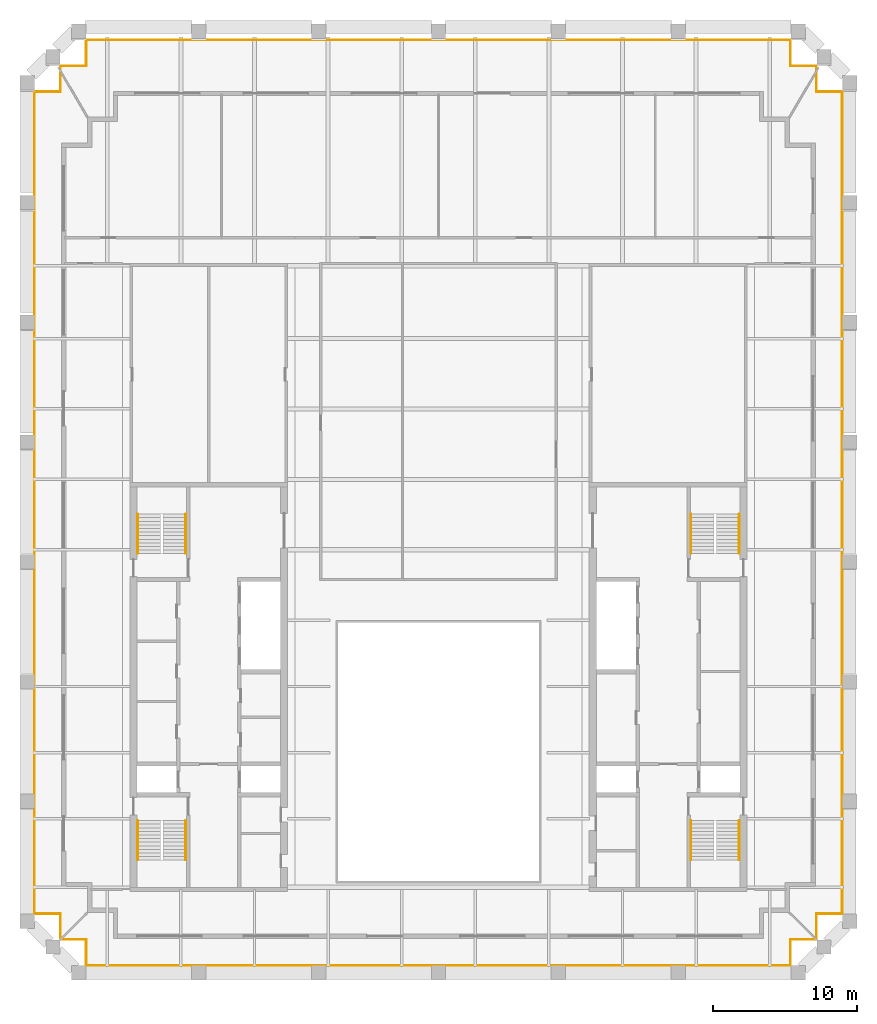
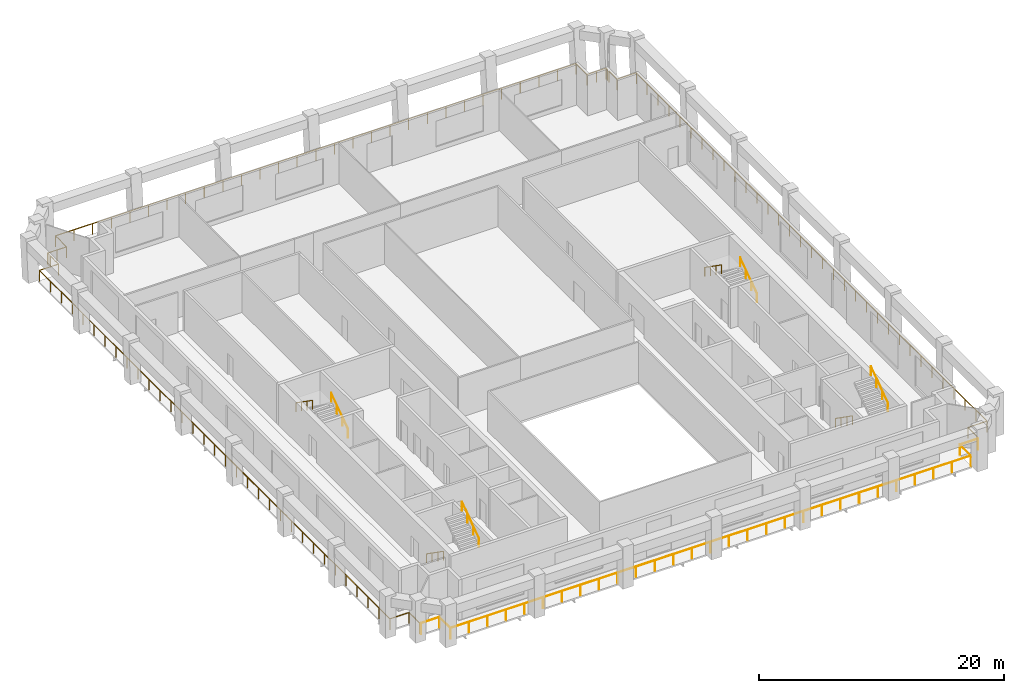
# One storey, part 7 of 7: 12 railings.
"""IFC4 building model written with IfcOpenShell, lengths in metres."""

from ifc_helpers import new_model, si_unit, direction, frame, origin, origin_2d, place, context, subcontext, project, spatial, circle, extrude, material, type_object, element, save


model = new_model("IFC4")

# Units and contexts
model_context = context("Model", 3, precision=1e-05, world=origin(), true_north=direction((0.0, 1.0)))
body_context = subcontext(model_context, "Body", "Model", "MODEL_VIEW")
ifc_project = project(units=[si_unit("LENGTHUNIT", "METRE"), si_unit("AREAUNIT", "SQUARE_METRE"), si_unit("VOLUMEUNIT", "CUBIC_METRE"), si_unit("PLANEANGLEUNIT", "RADIAN"), si_unit("MASSUNIT", "GRAM", prefix="KILO")], contexts=[model_context])

# Site, building, storey
site_placement = place(None, origin())
site = spatial("IfcSite", under=ifc_project, at=site_placement, CompositionType="ELEMENT")
building_placement = place(site_placement, origin())
building = spatial("IfcBuilding", under=site, at=building_placement, Name="Ogive Exchange Tower", CompositionType="ELEMENT")
storey_placement = place(building_placement, frame((0.0, 0.0, 321.60009765625)))
storey = spatial("IfcBuildingStorey", under=building, at=storey_placement, Name="L70", CompositionType="ELEMENT", Elevation=321.60009765625)

# Railings
ifc_material_1 = material(Name="Stainless steel 316", Category="steel")
railing_type_1 = type_object("IfcRailingType", Name="Guard 1100 stainless steel and glass", PredefinedType="GUARDRAIL", material=ifc_material_1)
railing_1_placement = place(storey_placement, frame((26.238037109375, -6.080078125, -0.050048828125)))
element("IfcRailing", 1, at=railing_1_placement, inside=storey, type_object=railing_type_1, Name="Loggia guard 1", PredefinedType="GUARDRAIL", context=body_context, shape_type="SweptSolid", body=[
    extrude(circle(Radius=0.02392578125, at=origin_2d()), frame((0.0, 0.0, 1.076171875), z_axis=(-1.0, 0.0, 0.0), x_axis=(0.0, -1.0, 0.0)), (0.0, 0.0, 1.0), 1.7080078125),
    extrude(circle(Radius=0.02392578125, at=origin_2d()), frame((-1.7080078125, 0.0, 1.076171875), z_axis=(0.0, -1.0, 0.0), x_axis=(1.0, 0.0, 0.0)), (0.0, 0.0, 1.0), 1.7998046875),
    extrude(circle(Radius=0.02392578125, at=origin_2d()), frame((-1.7080078125, -1.7998046875, 1.076171875), z_axis=(-1.0, 0.0, 0.0), x_axis=(0.0, -1.0, 0.0)), (0.0, 0.0, 1.0), 49.06005859375),
    extrude(circle(Radius=0.02392578125, at=origin_2d()), frame((-50.76806640625, -1.7998046875, 1.076171875), z_axis=(0.0, 1.0, 0.0), x_axis=(-1.0, 0.0, 0.0)), (0.0, 0.0, 1.0), 1.7998046875),
    extrude(circle(Radius=0.02392578125, at=origin_2d()), frame((-50.76806640625, 0.0, 1.076171875), z_axis=(-1.0, 0.0, 0.0), x_axis=(0.0, -1.0, 0.0)), (0.0, 0.0, 1.0), 1.7080078125),
    extrude(circle(Radius=0.02099609375, at=origin_2d()), origin(), (0.0, 0.0, 1.0), 1.052001953125),
    extrude(circle(Radius=0.02099609375, at=origin_2d()), frame((-1.7080078125, 0.0, 0.0)), (0.0, 0.0, 1.0), 1.052001953125),
    extrude(circle(Radius=0.02099609375, at=origin_2d()), frame((-1.7080078125, -1.7998046875, 0.0)), (0.0, 0.0, 1.0), 1.052001953125),
    extrude(circle(Radius=0.02099609375, at=origin_2d()), frame((-3.460205078125, -1.7998046875, 0.0)), (0.0, 0.0, 1.0), 1.052001953125),
    extrude(circle(Radius=0.02099609375, at=origin_2d()), frame((-5.21240234375, -1.7998046875, 0.0)), (0.0, 0.0, 1.0), 1.052001953125),
    extrude(circle(Radius=0.02099609375, at=origin_2d()), frame((-6.96435546875, -1.7998046875, 0.0)), (0.0, 0.0, 1.0), 1.052001953125),
    extrude(circle(Radius=0.02099609375, at=origin_2d()), frame((-8.716552734375, -1.7998046875, 0.0)), (0.0, 0.0, 1.0), 1.052001953125),
    extrude(circle(Radius=0.02099609375, at=origin_2d()), frame((-10.46875, -1.7998046875, 0.0)), (0.0, 0.0, 1.0), 1.052001953125),
    extrude(circle(Radius=0.02099609375, at=origin_2d()), frame((-12.220947265625, -1.7998046875, 0.0)), (0.0, 0.0, 1.0), 1.052001953125),
    extrude(circle(Radius=0.02099609375, at=origin_2d()), frame((-13.97314453125, -1.7998046875, 0.0)), (0.0, 0.0, 1.0), 1.052001953125),
    extrude(circle(Radius=0.02099609375, at=origin_2d()), frame((-15.72509765625, -1.7998046875, 0.0)), (0.0, 0.0, 1.0), 1.052001953125),
    extrude(circle(Radius=0.02099609375, at=origin_2d()), frame((-17.477294921875, -1.7998046875, 0.0)), (0.0, 0.0, 1.0), 1.052001953125),
    extrude(circle(Radius=0.02099609375, at=origin_2d()), frame((-19.2294921875, -1.7998046875, 0.0)), (0.0, 0.0, 1.0), 1.052001953125),
    extrude(circle(Radius=0.02099609375, at=origin_2d()), frame((-20.981689453125, -1.7998046875, 0.0)), (0.0, 0.0, 1.0), 1.052001953125),
    extrude(circle(Radius=0.02099609375, at=origin_2d()), frame((-22.733642578125, -1.7998046875, 0.0)), (0.0, 0.0, 1.0), 1.052001953125),
    extrude(circle(Radius=0.02099609375, at=origin_2d()), frame((-24.48583984375, -1.7998046875, 0.0)), (0.0, 0.0, 1.0), 1.052001953125),
    extrude(circle(Radius=0.02099609375, at=origin_2d()), frame((-26.238037109375, -1.7998046875, 0.0)), (0.0, 0.0, 1.0), 1.052001953125),
    extrude(circle(Radius=0.02099609375, at=origin_2d()), frame((-27.990234375, -1.7998046875, 0.0)), (0.0, 0.0, 1.0), 1.052001953125),
    extrude(circle(Radius=0.02099609375, at=origin_2d()), frame((-29.742431640625, -1.7998046875, 0.0)), (0.0, 0.0, 1.0), 1.052001953125),
    extrude(circle(Radius=0.02099609375, at=origin_2d()), frame((-31.494384765625, -1.7998046875, 0.0)), (0.0, 0.0, 1.0), 1.052001953125),
    extrude(circle(Radius=0.02099609375, at=origin_2d()), frame((-33.24658203125, -1.7998046875, 0.0)), (0.0, 0.0, 1.0), 1.052001953125),
    extrude(circle(Radius=0.02099609375, at=origin_2d()), frame((-34.998779296875, -1.7998046875, 0.0)), (0.0, 0.0, 1.0), 1.052001953125),
    extrude(circle(Radius=0.02099609375, at=origin_2d()), frame((-36.7509765625, -1.7998046875, 0.0)), (0.0, 0.0, 1.0), 1.052001953125),
    extrude(circle(Radius=0.02099609375, at=origin_2d()), frame((-38.5029296875, -1.7998046875, 0.0)), (0.0, 0.0, 1.0), 1.052001953125),
    extrude(circle(Radius=0.02099609375, at=origin_2d()), frame((-40.255126953125, -1.7998046875, 0.0)), (0.0, 0.0, 1.0), 1.052001953125),
    extrude(circle(Radius=0.02099609375, at=origin_2d()), frame((-42.00732421875, -1.7998046875, 0.0)), (0.0, 0.0, 1.0), 1.052001953125),
    extrude(circle(Radius=0.02099609375, at=origin_2d()), frame((-43.759521484375, -1.7998046875, 0.0)), (0.0, 0.0, 1.0), 1.052001953125),
    extrude(circle(Radius=0.02099609375, at=origin_2d()), frame((-45.51171875, -1.7998046875, 0.0)), (0.0, 0.0, 1.0), 1.052001953125),
    extrude(circle(Radius=0.02099609375, at=origin_2d()), frame((-47.263671875, -1.7998046875, 0.0)), (0.0, 0.0, 1.0), 1.052001953125),
    extrude(circle(Radius=0.02099609375, at=origin_2d()), frame((-49.015869140625, -1.7998046875, 0.0)), (0.0, 0.0, 1.0), 1.052001953125),
    extrude(circle(Radius=0.02099609375, at=origin_2d()), frame((-50.76806640625, -1.7998046875, 0.0)), (0.0, 0.0, 1.0), 1.052001953125),
    extrude(circle(Radius=0.02099609375, at=origin_2d()), frame((-50.76806640625, 0.0, 0.0)), (0.0, 0.0, 1.0), 1.052001953125),
    extrude(circle(Radius=0.02099609375, at=origin_2d()), frame((-52.47607421875, 0.0, 0.0)), (0.0, 0.0, 1.0), 1.052001953125),
])
railing_2_placement = place(storey_placement, frame((-26.330078125, -5.988037109375, -0.050048828125)))
element("IfcRailing", 2, at=railing_2_placement, inside=storey, type_object=railing_type_1, Name="Loggia guard 2", PredefinedType="GUARDRAIL", context=body_context, shape_type="SweptSolid", body=[
    extrude(circle(Radius=0.02392578125, at=origin_2d()), frame((0.0, 0.0, 1.076171875), z_axis=(0.0, 1.0, 0.0), x_axis=(-1.0, 0.0, 0.0)), (0.0, 0.0, 1.0), 1.7080078125),
    extrude(circle(Radius=0.02392578125, at=origin_2d()), frame((0.0, 1.7080078125, 1.076171875), z_axis=(-1.0, 0.0, 0.0), x_axis=(0.0, -1.0, 0.0)), (0.0, 0.0, 1.0), 1.7998046875),
    extrude(circle(Radius=0.02392578125, at=origin_2d()), frame((-1.7998046875, 1.7080078125, 1.076171875), z_axis=(0.0, 1.0, 0.0), x_axis=(-1.0, 0.0, 0.0)), (0.0, 0.0, 1.0), 57.2509765625),
    extrude(circle(Radius=0.02392578125, at=origin_2d()), frame((-1.7998046875, 58.958984375, 1.076171875), z_axis=(1.0, 0.0, 0.0), x_axis=(0.0, 1.0, 0.0)), (0.0, 0.0, 1.0), 1.7998046875),
    extrude(circle(Radius=0.02392578125, at=origin_2d()), frame((0.0, 58.958984375, 1.076171875), z_axis=(0.0, 1.0, 0.0), x_axis=(-1.0, 0.0, 0.0)), (0.0, 0.0, 1.0), 1.30517578125),
    extrude(circle(Radius=0.02099609375, at=origin_2d()), origin(), (0.0, 0.0, 1.0), 1.052001953125),
    extrude(circle(Radius=0.02099609375, at=origin_2d()), frame((0.0, 1.7080078125, 0.0)), (0.0, 0.0, 1.0), 1.052001953125),
    extrude(circle(Radius=0.02099609375, at=origin_2d()), frame((-1.7998046875, 1.7080078125, 0.0)), (0.0, 0.0, 1.0), 1.052001953125),
    extrude(circle(Radius=0.02099609375, at=origin_2d()), frame((-1.7998046875, 3.4970703125, 0.0)), (0.0, 0.0, 1.0), 1.052001953125),
    extrude(circle(Radius=0.02099609375, at=origin_2d()), frame((-1.7998046875, 5.2861328125, 0.0)), (0.0, 0.0, 1.0), 1.052001953125),
    extrude(circle(Radius=0.02099609375, at=origin_2d()), frame((-1.7998046875, 7.0751953125, 0.0)), (0.0, 0.0, 1.0), 1.052001953125),
    extrude(circle(Radius=0.02099609375, at=origin_2d()), frame((-1.7998046875, 8.8642578125, 0.0)), (0.0, 0.0, 1.0), 1.052001953125),
    extrude(circle(Radius=0.02099609375, at=origin_2d()), frame((-1.7998046875, 10.653564453125, 0.0)), (0.0, 0.0, 1.0), 1.052001953125),
    extrude(circle(Radius=0.02099609375, at=origin_2d()), frame((-1.7998046875, 12.442626953125, 0.0)), (0.0, 0.0, 1.0), 1.052001953125),
    extrude(circle(Radius=0.02099609375, at=origin_2d()), frame((-1.7998046875, 14.231689453125, 0.0)), (0.0, 0.0, 1.0), 1.052001953125),
    extrude(circle(Radius=0.02099609375, at=origin_2d()), frame((-1.7998046875, 16.020751953125, 0.0)), (0.0, 0.0, 1.0), 1.052001953125),
    extrude(circle(Radius=0.02099609375, at=origin_2d()), frame((-1.7998046875, 17.809814453125, 0.0)), (0.0, 0.0, 1.0), 1.052001953125),
    extrude(circle(Radius=0.02099609375, at=origin_2d()), frame((-1.7998046875, 19.598876953125, 0.0)), (0.0, 0.0, 1.0), 1.052001953125),
    extrude(circle(Radius=0.02099609375, at=origin_2d()), frame((-1.7998046875, 21.387939453125, 0.0)), (0.0, 0.0, 1.0), 1.052001953125),
    extrude(circle(Radius=0.02099609375, at=origin_2d()), frame((-1.7998046875, 23.17724609375, 0.0)), (0.0, 0.0, 1.0), 1.052001953125),
    extrude(circle(Radius=0.02099609375, at=origin_2d()), frame((-1.7998046875, 24.96630859375, 0.0)), (0.0, 0.0, 1.0), 1.052001953125),
    extrude(circle(Radius=0.02099609375, at=origin_2d()), frame((-1.7998046875, 26.75537109375, 0.0)), (0.0, 0.0, 1.0), 1.052001953125),
    extrude(circle(Radius=0.02099609375, at=origin_2d()), frame((-1.7998046875, 28.54443359375, 0.0)), (0.0, 0.0, 1.0), 1.052001953125),
    extrude(circle(Radius=0.02099609375, at=origin_2d()), frame((-1.7998046875, 30.33349609375, 0.0)), (0.0, 0.0, 1.0), 1.052001953125),
    extrude(circle(Radius=0.02099609375, at=origin_2d()), frame((-1.7998046875, 32.12255859375, 0.0)), (0.0, 0.0, 1.0), 1.052001953125),
    extrude(circle(Radius=0.02099609375, at=origin_2d()), frame((-1.7998046875, 33.91162109375, 0.0)), (0.0, 0.0, 1.0), 1.052001953125),
    extrude(circle(Radius=0.02099609375, at=origin_2d()), frame((-1.7998046875, 35.70068359375, 0.0)), (0.0, 0.0, 1.0), 1.052001953125),
    extrude(circle(Radius=0.02099609375, at=origin_2d()), frame((-1.7998046875, 37.48974609375, 0.0)), (0.0, 0.0, 1.0), 1.052001953125),
    extrude(circle(Radius=0.02099609375, at=origin_2d()), frame((-1.7998046875, 39.279052734375, 0.0)), (0.0, 0.0, 1.0), 1.052001953125),
    extrude(circle(Radius=0.02099609375, at=origin_2d()), frame((-1.7998046875, 41.068115234375, 0.0)), (0.0, 0.0, 1.0), 1.052001953125),
    extrude(circle(Radius=0.02099609375, at=origin_2d()), frame((-1.7998046875, 42.857177734375, 0.0)), (0.0, 0.0, 1.0), 1.052001953125),
    extrude(circle(Radius=0.02099609375, at=origin_2d()), frame((-1.7998046875, 44.646240234375, 0.0)), (0.0, 0.0, 1.0), 1.052001953125),
    extrude(circle(Radius=0.02099609375, at=origin_2d()), frame((-1.7998046875, 46.435302734375, 0.0)), (0.0, 0.0, 1.0), 1.052001953125),
    extrude(circle(Radius=0.02099609375, at=origin_2d()), frame((-1.7998046875, 48.224365234375, 0.0)), (0.0, 0.0, 1.0), 1.052001953125),
    extrude(circle(Radius=0.02099609375, at=origin_2d()), frame((-1.7998046875, 50.013427734375, 0.0)), (0.0, 0.0, 1.0), 1.052001953125),
    extrude(circle(Radius=0.02099609375, at=origin_2d()), frame((-1.7998046875, 51.802734375, 0.0)), (0.0, 0.0, 1.0), 1.052001953125),
    extrude(circle(Radius=0.02099609375, at=origin_2d()), frame((-1.7998046875, 53.591796875, 0.0)), (0.0, 0.0, 1.0), 1.052001953125),
    extrude(circle(Radius=0.02099609375, at=origin_2d()), frame((-1.7998046875, 55.380859375, 0.0)), (0.0, 0.0, 1.0), 1.052001953125),
    extrude(circle(Radius=0.02099609375, at=origin_2d()), frame((-1.7998046875, 57.169921875, 0.0)), (0.0, 0.0, 1.0), 1.052001953125),
    extrude(circle(Radius=0.02099609375, at=origin_2d()), frame((-1.7998046875, 58.958984375, 0.0)), (0.0, 0.0, 1.0), 1.052001953125),
    extrude(circle(Radius=0.02099609375, at=origin_2d()), frame((0.0, 58.958984375, 0.0)), (0.0, 0.0, 1.0), 1.052001953125),
    extrude(circle(Radius=0.02099609375, at=origin_2d()), frame((0.0, 60.26416015625, 0.0)), (0.0, 0.0, 1.0), 1.052001953125),
])
railing_3_placement = place(storey_placement, frame((-26.330078125, 54.532958984375, -0.050048828125)))
element("IfcRailing", 3, at=railing_3_placement, inside=storey, type_object=railing_type_1, Name="Loggia guard 3", PredefinedType="GUARDRAIL", context=body_context, shape_type="SweptSolid", body=[
    extrude(circle(Radius=0.02392578125, at=origin_2d()), frame((0.0, 0.0, 1.076171875), z_axis=(0.0, 1.0, 0.0), x_axis=(-1.0, 0.0, 0.0)), (0.0, 0.0, 1.0), 0.238037109375),
    extrude(circle(Radius=0.02392578125, at=origin_2d()), frame((0.0, 0.238037109375, 1.076171875), z_axis=(1.0, 0.0, 0.0), x_axis=(0.0, 1.0, 0.0)), (0.0, 0.0, 1.0), 1.800048828125),
    extrude(circle(Radius=0.02392578125, at=origin_2d()), frame((1.800048828125, 0.238037109375, 1.076171875), z_axis=(0.0, 1.0, 0.0), x_axis=(-1.0, 0.0, 0.0)), (0.0, 0.0, 1.0), 1.7998046875),
    extrude(circle(Radius=0.02392578125, at=origin_2d()), frame((1.800048828125, 2.037841796875, 1.076171875), z_axis=(1.0, 0.0, 0.0), x_axis=(0.0, 1.0, 0.0)), (0.0, 0.0, 1.0), 49.06005859375),
    extrude(circle(Radius=0.02392578125, at=origin_2d()), frame((50.860107421875, 2.037841796875, 1.076171875), z_axis=(0.0, -1.0, 0.0), x_axis=(1.0, 0.0, 0.0)), (0.0, 0.0, 1.0), 1.7998046875),
    extrude(circle(Radius=0.02392578125, at=origin_2d()), frame((50.860107421875, 0.238037109375, 1.076171875), z_axis=(1.0, 0.0, 0.0), x_axis=(0.0, 1.0, 0.0)), (0.0, 0.0, 1.0), 1.800048828125),
    extrude(circle(Radius=0.02392578125, at=origin_2d()), frame((52.66015625, 0.238037109375, 1.076171875), z_axis=(0.0, -1.0, 0.0), x_axis=(1.0, 0.0, 0.0)), (0.0, 0.0, 1.0), 0.238037109375),
    extrude(circle(Radius=0.02099609375, at=origin_2d()), origin(), (0.0, 0.0, 1.0), 1.052001953125),
    extrude(circle(Radius=0.02099609375, at=origin_2d()), frame((0.0, 0.238037109375, 0.0)), (0.0, 0.0, 1.0), 1.052001953125),
    extrude(circle(Radius=0.02099609375, at=origin_2d()), frame((0.89990234375, 0.238037109375, 0.0)), (0.0, 0.0, 1.0), 1.052001953125),
    extrude(circle(Radius=0.02099609375, at=origin_2d()), frame((1.800048828125, 0.238037109375, 0.0)), (0.0, 0.0, 1.0), 1.052001953125),
    extrude(circle(Radius=0.02099609375, at=origin_2d()), frame((1.800048828125, 2.037841796875, 0.0)), (0.0, 0.0, 1.0), 1.052001953125),
    extrude(circle(Radius=0.02099609375, at=origin_2d()), frame((3.55224609375, 2.037841796875, 0.0)), (0.0, 0.0, 1.0), 1.052001953125),
    extrude(circle(Radius=0.02099609375, at=origin_2d()), frame((5.304443359375, 2.037841796875, 0.0)), (0.0, 0.0, 1.0), 1.052001953125),
    extrude(circle(Radius=0.02099609375, at=origin_2d()), frame((7.056396484375, 2.037841796875, 0.0)), (0.0, 0.0, 1.0), 1.052001953125),
    extrude(circle(Radius=0.02099609375, at=origin_2d()), frame((8.80859375, 2.037841796875, 0.0)), (0.0, 0.0, 1.0), 1.052001953125),
    extrude(circle(Radius=0.02099609375, at=origin_2d()), frame((10.560791015625, 2.037841796875, 0.0)), (0.0, 0.0, 1.0), 1.052001953125),
    extrude(circle(Radius=0.02099609375, at=origin_2d()), frame((12.31298828125, 2.037841796875, 0.0)), (0.0, 0.0, 1.0), 1.052001953125),
    extrude(circle(Radius=0.02099609375, at=origin_2d()), frame((14.06494140625, 2.037841796875, 0.0)), (0.0, 0.0, 1.0), 1.052001953125),
    extrude(circle(Radius=0.02099609375, at=origin_2d()), frame((15.817138671875, 2.037841796875, 0.0)), (0.0, 0.0, 1.0), 1.052001953125),
    extrude(circle(Radius=0.02099609375, at=origin_2d()), frame((17.5693359375, 2.037841796875, 0.0)), (0.0, 0.0, 1.0), 1.052001953125),
    extrude(circle(Radius=0.02099609375, at=origin_2d()), frame((19.321533203125, 2.037841796875, 0.0)), (0.0, 0.0, 1.0), 1.052001953125),
    extrude(circle(Radius=0.02099609375, at=origin_2d()), frame((21.07373046875, 2.037841796875, 0.0)), (0.0, 0.0, 1.0), 1.052001953125),
    extrude(circle(Radius=0.02099609375, at=origin_2d()), frame((22.82568359375, 2.037841796875, 0.0)), (0.0, 0.0, 1.0), 1.052001953125),
    extrude(circle(Radius=0.02099609375, at=origin_2d()), frame((24.577880859375, 2.037841796875, 0.0)), (0.0, 0.0, 1.0), 1.052001953125),
    extrude(circle(Radius=0.02099609375, at=origin_2d()), frame((26.330078125, 2.037841796875, 0.0)), (0.0, 0.0, 1.0), 1.052001953125),
    extrude(circle(Radius=0.02099609375, at=origin_2d()), frame((28.082275390625, 2.037841796875, 0.0)), (0.0, 0.0, 1.0), 1.052001953125),
    extrude(circle(Radius=0.02099609375, at=origin_2d()), frame((29.83447265625, 2.037841796875, 0.0)), (0.0, 0.0, 1.0), 1.052001953125),
    extrude(circle(Radius=0.02099609375, at=origin_2d()), frame((31.58642578125, 2.037841796875, 0.0)), (0.0, 0.0, 1.0), 1.052001953125),
    extrude(circle(Radius=0.02099609375, at=origin_2d()), frame((33.338623046875, 2.037841796875, 0.0)), (0.0, 0.0, 1.0), 1.052001953125),
    extrude(circle(Radius=0.02099609375, at=origin_2d()), frame((35.0908203125, 2.037841796875, 0.0)), (0.0, 0.0, 1.0), 1.052001953125),
    extrude(circle(Radius=0.02099609375, at=origin_2d()), frame((36.843017578125, 2.037841796875, 0.0)), (0.0, 0.0, 1.0), 1.052001953125),
    extrude(circle(Radius=0.02099609375, at=origin_2d()), frame((38.59521484375, 2.037841796875, 0.0)), (0.0, 0.0, 1.0), 1.052001953125),
    extrude(circle(Radius=0.02099609375, at=origin_2d()), frame((40.34716796875, 2.037841796875, 0.0)), (0.0, 0.0, 1.0), 1.052001953125),
    extrude(circle(Radius=0.02099609375, at=origin_2d()), frame((42.099365234375, 2.037841796875, 0.0)), (0.0, 0.0, 1.0), 1.052001953125),
    extrude(circle(Radius=0.02099609375, at=origin_2d()), frame((43.8515625, 2.037841796875, 0.0)), (0.0, 0.0, 1.0), 1.052001953125),
    extrude(circle(Radius=0.02099609375, at=origin_2d()), frame((45.603759765625, 2.037841796875, 0.0)), (0.0, 0.0, 1.0), 1.052001953125),
    extrude(circle(Radius=0.02099609375, at=origin_2d()), frame((47.355712890625, 2.037841796875, 0.0)), (0.0, 0.0, 1.0), 1.052001953125),
    extrude(circle(Radius=0.02099609375, at=origin_2d()), frame((49.10791015625, 2.037841796875, 0.0)), (0.0, 0.0, 1.0), 1.052001953125),
    extrude(circle(Radius=0.02099609375, at=origin_2d()), frame((50.860107421875, 2.037841796875, 0.0)), (0.0, 0.0, 1.0), 1.052001953125),
    extrude(circle(Radius=0.02099609375, at=origin_2d()), frame((50.860107421875, 0.238037109375, 0.0)), (0.0, 0.0, 1.0), 1.052001953125),
    extrude(circle(Radius=0.02099609375, at=origin_2d()), frame((51.76025390625, 0.238037109375, 0.0)), (0.0, 0.0, 1.0), 1.052001953125),
    extrude(circle(Radius=0.02099609375, at=origin_2d()), frame((52.66015625, 0.238037109375, 0.0)), (0.0, 0.0, 1.0), 1.052001953125),
    extrude(circle(Radius=0.02099609375, at=origin_2d()), frame((52.66015625, 0.0, 0.0)), (0.0, 0.0, 1.0), 1.052001953125),
])
railing_4_placement = place(storey_placement, frame((26.330078125, 54.276123046875, -0.050048828125)))
element("IfcRailing", 4, at=railing_4_placement, inside=storey, type_object=railing_type_1, Name="Loggia guard 4", PredefinedType="GUARDRAIL", context=body_context, shape_type="SweptSolid", body=[
    extrude(circle(Radius=0.02392578125, at=origin_2d()), frame((0.0, 0.0, 1.076171875), z_axis=(0.0, -1.0, 0.0), x_axis=(1.0, 0.0, 0.0)), (0.0, 0.0, 1.0), 1.30517578125),
    extrude(circle(Radius=0.02392578125, at=origin_2d()), frame((0.0, -1.30517578125, 1.076171875), z_axis=(1.0, 0.0, 0.0), x_axis=(0.0, 1.0, 0.0)), (0.0, 0.0, 1.0), 1.7998046875),
    extrude(circle(Radius=0.02392578125, at=origin_2d()), frame((1.7998046875, -1.30517578125, 1.076171875), z_axis=(0.0, -1.0, 0.0), x_axis=(1.0, 0.0, 0.0)), (0.0, 0.0, 1.0), 57.2509765625),
    extrude(circle(Radius=0.02392578125, at=origin_2d()), frame((1.7998046875, -58.55615234375, 1.076171875), z_axis=(-1.0, 0.0, 0.0), x_axis=(0.0, -1.0, 0.0)), (0.0, 0.0, 1.0), 1.7998046875),
    extrude(circle(Radius=0.02392578125, at=origin_2d()), frame((0.0, -58.55615234375, 1.076171875), z_axis=(0.0, -1.0, 0.0), x_axis=(1.0, 0.0, 0.0)), (0.0, 0.0, 1.0), 1.7080078125),
    extrude(circle(Radius=0.02099609375, at=origin_2d()), origin(), (0.0, 0.0, 1.0), 1.052001953125),
    extrude(circle(Radius=0.02099609375, at=origin_2d()), frame((0.0, -1.30517578125, 0.0)), (0.0, 0.0, 1.0), 1.052001953125),
    extrude(circle(Radius=0.02099609375, at=origin_2d()), frame((1.7998046875, -1.30517578125, 0.0)), (0.0, 0.0, 1.0), 1.052001953125),
    extrude(circle(Radius=0.02099609375, at=origin_2d()), frame((1.7998046875, -3.09423828125, 0.0)), (0.0, 0.0, 1.0), 1.052001953125),
    extrude(circle(Radius=0.02099609375, at=origin_2d()), frame((1.7998046875, -4.88330078125, 0.0)), (0.0, 0.0, 1.0), 1.052001953125),
    extrude(circle(Radius=0.02099609375, at=origin_2d()), frame((1.7998046875, -6.67236328125, 0.0)), (0.0, 0.0, 1.0), 1.052001953125),
    extrude(circle(Radius=0.02099609375, at=origin_2d()), frame((1.7998046875, -8.46142578125, 0.0)), (0.0, 0.0, 1.0), 1.052001953125),
    extrude(circle(Radius=0.02099609375, at=origin_2d()), frame((1.7998046875, -10.250732421875, 0.0)), (0.0, 0.0, 1.0), 1.052001953125),
    extrude(circle(Radius=0.02099609375, at=origin_2d()), frame((1.7998046875, -12.039794921875, 0.0)), (0.0, 0.0, 1.0), 1.052001953125),
    extrude(circle(Radius=0.02099609375, at=origin_2d()), frame((1.7998046875, -13.828857421875, 0.0)), (0.0, 0.0, 1.0), 1.052001953125),
    extrude(circle(Radius=0.02099609375, at=origin_2d()), frame((1.7998046875, -15.617919921875, 0.0)), (0.0, 0.0, 1.0), 1.052001953125),
    extrude(circle(Radius=0.02099609375, at=origin_2d()), frame((1.7998046875, -17.406982421875, 0.0)), (0.0, 0.0, 1.0), 1.052001953125),
    extrude(circle(Radius=0.02099609375, at=origin_2d()), frame((1.7998046875, -19.196044921875, 0.0)), (0.0, 0.0, 1.0), 1.052001953125),
    extrude(circle(Radius=0.02099609375, at=origin_2d()), frame((1.7998046875, -20.985107421875, 0.0)), (0.0, 0.0, 1.0), 1.052001953125),
    extrude(circle(Radius=0.02099609375, at=origin_2d()), frame((1.7998046875, -22.7744140625, 0.0)), (0.0, 0.0, 1.0), 1.052001953125),
    extrude(circle(Radius=0.02099609375, at=origin_2d()), frame((1.7998046875, -24.5634765625, 0.0)), (0.0, 0.0, 1.0), 1.052001953125),
    extrude(circle(Radius=0.02099609375, at=origin_2d()), frame((1.7998046875, -26.3525390625, 0.0)), (0.0, 0.0, 1.0), 1.052001953125),
    extrude(circle(Radius=0.02099609375, at=origin_2d()), frame((1.7998046875, -28.1416015625, 0.0)), (0.0, 0.0, 1.0), 1.052001953125),
    extrude(circle(Radius=0.02099609375, at=origin_2d()), frame((1.7998046875, -29.9306640625, 0.0)), (0.0, 0.0, 1.0), 1.052001953125),
    extrude(circle(Radius=0.02099609375, at=origin_2d()), frame((1.7998046875, -31.7197265625, 0.0)), (0.0, 0.0, 1.0), 1.052001953125),
    extrude(circle(Radius=0.02099609375, at=origin_2d()), frame((1.7998046875, -33.5087890625, 0.0)), (0.0, 0.0, 1.0), 1.052001953125),
    extrude(circle(Radius=0.02099609375, at=origin_2d()), frame((1.7998046875, -35.2978515625, 0.0)), (0.0, 0.0, 1.0), 1.052001953125),
    extrude(circle(Radius=0.02099609375, at=origin_2d()), frame((1.7998046875, -37.0869140625, 0.0)), (0.0, 0.0, 1.0), 1.052001953125),
    extrude(circle(Radius=0.02099609375, at=origin_2d()), frame((1.7998046875, -38.876220703125, 0.0)), (0.0, 0.0, 1.0), 1.052001953125),
    extrude(circle(Radius=0.02099609375, at=origin_2d()), frame((1.7998046875, -40.665283203125, 0.0)), (0.0, 0.0, 1.0), 1.052001953125),
    extrude(circle(Radius=0.02099609375, at=origin_2d()), frame((1.7998046875, -42.454345703125, 0.0)), (0.0, 0.0, 1.0), 1.052001953125),
    extrude(circle(Radius=0.02099609375, at=origin_2d()), frame((1.7998046875, -44.243408203125, 0.0)), (0.0, 0.0, 1.0), 1.052001953125),
    extrude(circle(Radius=0.02099609375, at=origin_2d()), frame((1.7998046875, -46.032470703125, 0.0)), (0.0, 0.0, 1.0), 1.052001953125),
    extrude(circle(Radius=0.02099609375, at=origin_2d()), frame((1.7998046875, -47.821533203125, 0.0)), (0.0, 0.0, 1.0), 1.052001953125),
    extrude(circle(Radius=0.02099609375, at=origin_2d()), frame((1.7998046875, -49.610595703125, 0.0)), (0.0, 0.0, 1.0), 1.052001953125),
    extrude(circle(Radius=0.02099609375, at=origin_2d()), frame((1.7998046875, -51.39990234375, 0.0)), (0.0, 0.0, 1.0), 1.052001953125),
    extrude(circle(Radius=0.02099609375, at=origin_2d()), frame((1.7998046875, -53.18896484375, 0.0)), (0.0, 0.0, 1.0), 1.052001953125),
    extrude(circle(Radius=0.02099609375, at=origin_2d()), frame((1.7998046875, -54.97802734375, 0.0)), (0.0, 0.0, 1.0), 1.052001953125),
    extrude(circle(Radius=0.02099609375, at=origin_2d()), frame((1.7998046875, -56.76708984375, 0.0)), (0.0, 0.0, 1.0), 1.052001953125),
    extrude(circle(Radius=0.02099609375, at=origin_2d()), frame((1.7998046875, -58.55615234375, 0.0)), (0.0, 0.0, 1.0), 1.052001953125),
    extrude(circle(Radius=0.02099609375, at=origin_2d()), frame((0.0, -58.55615234375, 0.0)), (0.0, 0.0, 1.0), 1.052001953125),
    extrude(circle(Radius=0.02099609375, at=origin_2d()), frame((0.0, -60.26416015625, 0.0)), (0.0, 0.0, 1.0), 1.052001953125),
])
ifc_material_2 = material(Name="Stainless steel", Category="steel")
railing_type_2 = type_object("IfcRailingType", Name="Stair handrail 900", PredefinedType="HANDRAIL", material=ifc_material_2)
railing_5_placement = place(storey_placement, frame((-20.949951171875, 2.199951171875, 0.1748046875)))
element("IfcRailing", 5, at=railing_5_placement, inside=storey, type_object=railing_type_2, Name="L70 ST1 stair handrail 1", PredefinedType="HANDRAIL", context=body_context, shape_type="SweptSolid", body=[
    extrude(circle(Radius=0.02392578125, at=origin_2d()), frame((0.0, 0.0, 0.8759765625), z_axis=(0.0, -0.819225086817, 0.573472106672), x_axis=(1.0, 0.0, 0.0)), (0.0, 0.0, 1.0), 3.35693359375),
    extrude(circle(Radius=0.02099609375, at=origin_2d()), origin(), (0.0, 0.0, 1.0), 0.851806640625),
    extrude(circle(Radius=0.02099609375, at=origin_2d()), frame((0.0, -0.916748046875, 0.6416015625)), (0.0, 0.0, 1.0), 0.851806640625),
    extrude(circle(Radius=0.02099609375, at=origin_2d()), frame((0.0, -1.833251953125, 1.283447265625)), (0.0, 0.0, 1.0), 0.851806640625),
    extrude(circle(Radius=0.02099609375, at=origin_2d()), frame((0.0, -2.75, 1.925048828125)), (0.0, 0.0, 1.0), 0.851806640625),
])
for number, where, name in (
    (6, (-17.60009765625, -0.550048828125, 2.27490234375), "L70 ST1 stair handrail 2"),
    (7, (-17.60009765625, 20.800048828125, 0.1748046875), "L70 ST2 stair handrail 1"),
):
    element("IfcRailing", number, at=place(storey_placement, frame(where)), inside=storey, type_object=railing_type_2, Name=name, PredefinedType="HANDRAIL", context=body_context, shape_type="SweptSolid", body=[
        extrude(circle(Radius=0.02392578125, at=origin_2d()), frame((0.0, 0.0, 0.8759765625), z_axis=(0.0, 0.819225086817, 0.573472106672), x_axis=(-1.0, 0.0, 0.0)), (0.0, 0.0, 1.0), 3.35693359375),
        extrude(circle(Radius=0.02099609375, at=origin_2d()), origin(), (0.0, 0.0, 1.0), 0.851806640625),
        extrude(circle(Radius=0.02099609375, at=origin_2d()), frame((0.0, 0.916748046875, 0.6416015625)), (0.0, 0.0, 1.0), 0.851806640625),
        extrude(circle(Radius=0.02099609375, at=origin_2d()), frame((0.0, 1.833251953125, 1.283447265625)), (0.0, 0.0, 1.0), 0.851806640625),
        extrude(circle(Radius=0.02099609375, at=origin_2d()), frame((0.0, 2.75, 1.925048828125)), (0.0, 0.0, 1.0), 0.851806640625),
    ])
for number, where, name in (
    (8, (-20.949951171875, 23.550048828125, 2.27490234375), "L70 ST2 stair handrail 2"),
    (9, (17.60009765625, 2.199951171875, 0.1748046875), "L70 ST3 stair handrail 1"),
):
    element("IfcRailing", number, at=place(storey_placement, frame(where)), inside=storey, type_object=railing_type_2, Name=name, PredefinedType="HANDRAIL", context=body_context, shape_type="SweptSolid", body=[
        extrude(circle(Radius=0.02392578125, at=origin_2d()), frame((0.0, 0.0, 0.8759765625), z_axis=(0.0, -0.819225086817, 0.573472106672), x_axis=(1.0, 0.0, 0.0)), (0.0, 0.0, 1.0), 3.35693359375),
        extrude(circle(Radius=0.02099609375, at=origin_2d()), origin(), (0.0, 0.0, 1.0), 0.851806640625),
        extrude(circle(Radius=0.02099609375, at=origin_2d()), frame((0.0, -0.916748046875, 0.6416015625)), (0.0, 0.0, 1.0), 0.851806640625),
        extrude(circle(Radius=0.02099609375, at=origin_2d()), frame((0.0, -1.833251953125, 1.283447265625)), (0.0, 0.0, 1.0), 0.851806640625),
        extrude(circle(Radius=0.02099609375, at=origin_2d()), frame((0.0, -2.75, 1.925048828125)), (0.0, 0.0, 1.0), 0.851806640625),
    ])
for number, where, name in (
    (10, (20.949951171875, -0.550048828125, 2.27490234375), "L70 ST3 stair handrail 2"),
    (11, (20.949951171875, 20.800048828125, 0.1748046875), "L70 ST4 stair handrail 1"),
):
    element("IfcRailing", number, at=place(storey_placement, frame(where)), inside=storey, type_object=railing_type_2, Name=name, PredefinedType="HANDRAIL", context=body_context, shape_type="SweptSolid", body=[
        extrude(circle(Radius=0.02392578125, at=origin_2d()), frame((0.0, 0.0, 0.8759765625), z_axis=(0.0, 0.819225086817, 0.573472106672), x_axis=(-1.0, 0.0, 0.0)), (0.0, 0.0, 1.0), 3.35693359375),
        extrude(circle(Radius=0.02099609375, at=origin_2d()), origin(), (0.0, 0.0, 1.0), 0.851806640625),
        extrude(circle(Radius=0.02099609375, at=origin_2d()), frame((0.0, 0.916748046875, 0.6416015625)), (0.0, 0.0, 1.0), 0.851806640625),
        extrude(circle(Radius=0.02099609375, at=origin_2d()), frame((0.0, 1.833251953125, 1.283447265625)), (0.0, 0.0, 1.0), 0.851806640625),
        extrude(circle(Radius=0.02099609375, at=origin_2d()), frame((0.0, 2.75, 1.925048828125)), (0.0, 0.0, 1.0), 0.851806640625),
    ])
railing_6_placement = place(storey_placement, frame((17.60009765625, 23.550048828125, 2.27490234375)))
element("IfcRailing", 12, at=railing_6_placement, inside=storey, type_object=railing_type_2, Name="L70 ST4 stair handrail 2", PredefinedType="HANDRAIL", context=body_context, shape_type="SweptSolid", body=[
    extrude(circle(Radius=0.02392578125, at=origin_2d()), frame((0.0, 0.0, 0.8759765625), z_axis=(0.0, -0.819225086817, 0.573472106672), x_axis=(1.0, 0.0, 0.0)), (0.0, 0.0, 1.0), 3.35693359375),
    extrude(circle(Radius=0.02099609375, at=origin_2d()), origin(), (0.0, 0.0, 1.0), 0.851806640625),
    extrude(circle(Radius=0.02099609375, at=origin_2d()), frame((0.0, -0.916748046875, 0.6416015625)), (0.0, 0.0, 1.0), 0.851806640625),
    extrude(circle(Radius=0.02099609375, at=origin_2d()), frame((0.0, -1.833251953125, 1.283447265625)), (0.0, 0.0, 1.0), 0.851806640625),
    extrude(circle(Radius=0.02099609375, at=origin_2d()), frame((0.0, -2.75, 1.925048828125)), (0.0, 0.0, 1.0), 0.851806640625),
])

save(model, "model.ifc")
